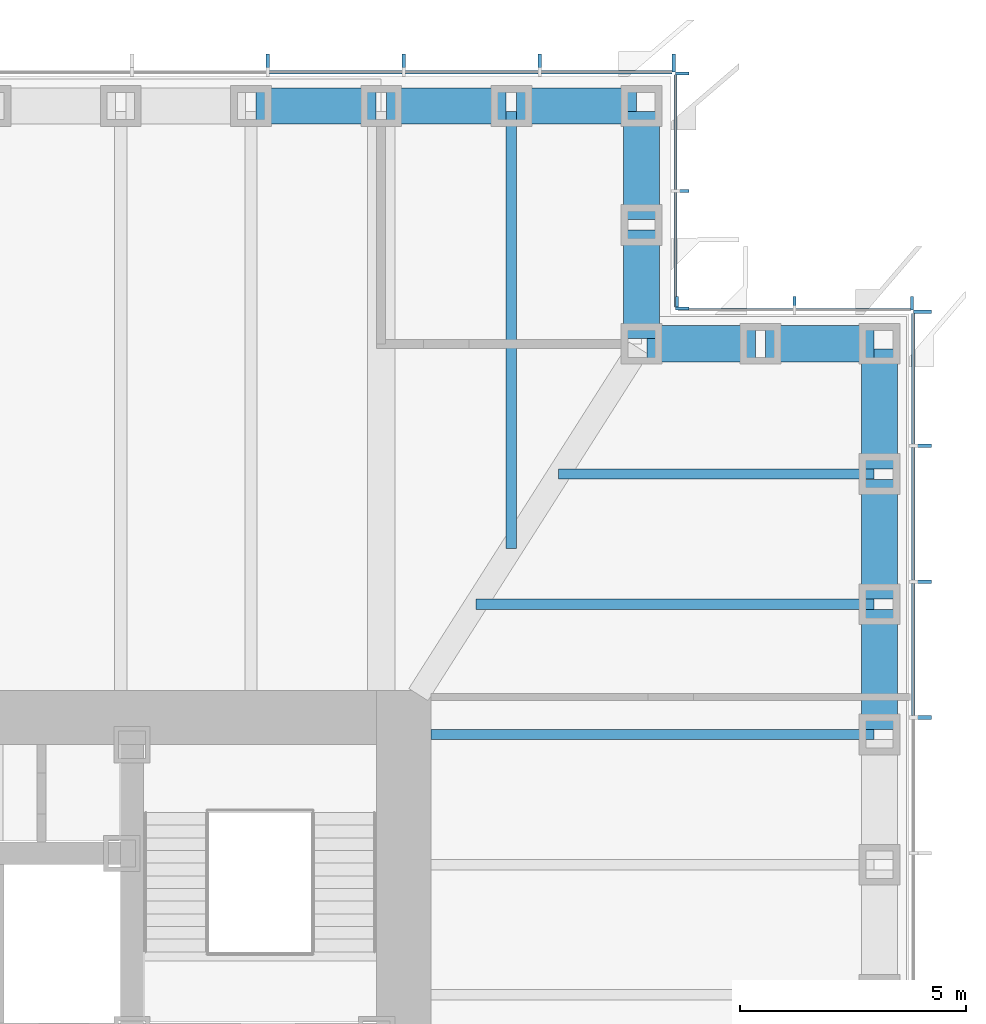
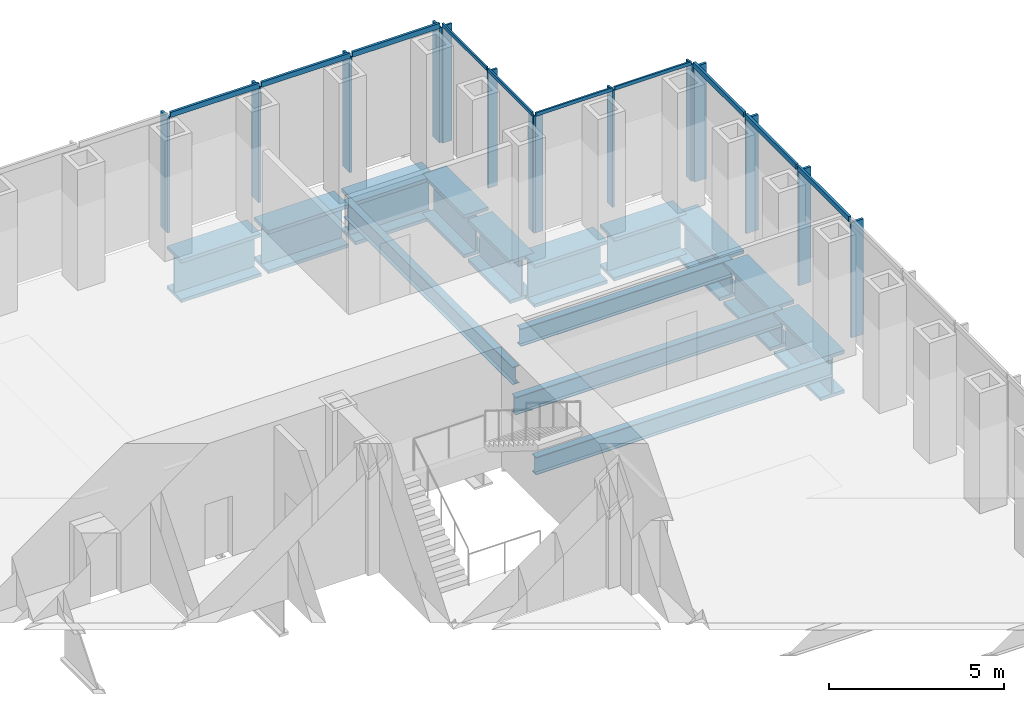
# One storey, part 6 of 17: 24 members, 14 beams, 4 elements without a shape of their own.
"""IFC4 building model written with IfcOpenShell, lengths in metres."""

from ifc_helpers import new_model, si_unit, direction, frame, origin, origin_2d, place, context, subcontext, project, spatial, rectangle, i_section, extrude, material, material_profile, profile_set, type_object, element, aggregate, save


model = new_model("IFC4")

# Units and contexts
model_context = context("Model", 3, precision=1e-05, world=origin(), true_north=direction((0.0, 1.0)))
body_context = subcontext(model_context, "Body", "Model", "MODEL_VIEW")
ifc_project = project(units=[si_unit("LENGTHUNIT", "METRE"), si_unit("AREAUNIT", "SQUARE_METRE"), si_unit("VOLUMEUNIT", "CUBIC_METRE"), si_unit("PLANEANGLEUNIT", "RADIAN"), si_unit("MASSUNIT", "GRAM", prefix="KILO")], contexts=[model_context])

# Site, building, storey
site_placement = place(None, origin())
site = spatial("IfcSite", under=ifc_project, at=site_placement, CompositionType="ELEMENT")
building_placement = place(site_placement, origin())
building = spatial("IfcBuilding", under=site, at=building_placement, Name="Daluyong Arena Tower", CompositionType="ELEMENT")
storey_placement = place(building_placement, frame((0.0, 0.0, 112.300048828125)))
storey = spatial("IfcBuildingStorey", under=building, at=storey_placement, Name="L24", CompositionType="ELEMENT", Elevation=112.300048828125)

# Curtain wall, members
ifc_material_1 = material(Name="Bronze anodised aluminium and glass", Category="aluminium")
curtain_wall_type_1 = type_object("IfcCurtainWallType", Name="Curtain wall CW2", PredefinedType="USERDEFINED", material=ifc_material_1)
curtain_wall_1_placement = place(storey_placement, origin())
curtain_wall_1 = element("IfcCurtainWall", 1, at=curtain_wall_1_placement, inside=storey, type_object=curtain_wall_type_1, Name="curtain wall L24 E", ObjectType="UNITISED CURTAIN WALL", PredefinedType="USERDEFINED")
ifc_material_2 = material(Name="Bronze anodised aluminium fin", Category="aluminium")
ifc_material_profile_1 = material_profile(ifc_material_2, rectangle(XDim=0.39990234375, YDim=0.080078125, at=origin_2d()))
ifc_profile_set_1 = profile_set([ifc_material_profile_1], Name="Bronze anodised aluminium fin")
member_type_1 = type_object("IfcMemberType", Name="CW2 bronze fin 400x80", PredefinedType="MULLION", material=ifc_profile_set_1)
member_1_placement = place(storey_placement, frame((79.449951171875, 89.0, 0.0), z_axis=(0.0, 0.0, 1.0), x_axis=(-1.0, 0.0, 0.0)))
member_1 = element("IfcMember", 2, at=member_1_placement, type_object=member_type_1, Name="curtain wall L24 E fin 10", PredefinedType="MULLION", context=body_context, shape_type="SweptSolid", body=[
    extrude(rectangle(XDim=0.39990234375, YDim=0.080078125, at=origin_2d()), origin(), (0.0, 0.0, 1.0), 4.02001953125),
])
member_2_placement = place(storey_placement, frame((79.449951171875, 92.0, 0.0), z_axis=(0.0, 0.0, 1.0), x_axis=(-1.0, 0.0, 0.0)))
member_2 = element("IfcMember", 3, at=member_2_placement, type_object=member_type_1, Name="curtain wall L24 E fin 11", PredefinedType="MULLION", context=body_context, shape_type="SweptSolid", body=[
    extrude(rectangle(XDim=0.39990234375, YDim=0.080078125, at=origin_2d()), origin(), (0.0, 0.0, 1.0), 4.02001953125),
])
member_3_placement = place(storey_placement, frame((79.449951171875, 95.0, 0.0), z_axis=(0.0, 0.0, 1.0), x_axis=(-1.0, 0.0, 0.0)))
member_3 = element("IfcMember", 4, at=member_3_placement, type_object=member_type_1, Name="curtain wall L24 E fin 12", PredefinedType="MULLION", context=body_context, shape_type="SweptSolid", body=[
    extrude(rectangle(XDim=0.39990234375, YDim=0.080078125, at=origin_2d()), origin(), (0.0, 0.0, 1.0), 4.02001953125),
])
member_4_placement = place(storey_placement, frame((79.449951171875, 97.9599609375, 0.0), z_axis=(0.0, 0.0, 1.0), x_axis=(-1.0, 0.0, 0.0)))
member_4 = element("IfcMember", 5, at=member_4_placement, type_object=member_type_1, Name="curtain wall L24 E fin 13", PredefinedType="MULLION", context=body_context, shape_type="SweptSolid", body=[
    extrude(rectangle(XDim=0.39990234375, YDim=0.080078125, at=origin_2d()), origin(), (0.0, 0.0, 1.0), 4.02001953125),
])

curtain_wall_2_placement = place(storey_placement, origin())
curtain_wall_2 = element("IfcCurtainWall", 6, at=curtain_wall_2_placement, inside=storey, type_object=curtain_wall_type_1, Name="curtain wall L24 N", ObjectType="UNITISED CURTAIN WALL", PredefinedType="USERDEFINED")
member_5_placement = place(storey_placement, frame((73.9599609375, 103.449951171875, 0.0), z_axis=(0.0, 0.0, 1.0), x_axis=(0.0, -1.0, 0.0)))
member_5 = element("IfcMember", 7, at=member_5_placement, type_object=member_type_1, Name="curtain wall L24 N fin 1", PredefinedType="MULLION", context=body_context, shape_type="SweptSolid", body=[
    extrude(rectangle(XDim=0.39990234375, YDim=0.080078125, at=origin_2d()), origin(), (0.0, 0.0, 1.0), 4.02001953125),
])
member_6_placement = place(storey_placement, frame((71.0, 103.449951171875, 0.0), z_axis=(0.0, 0.0, 1.0), x_axis=(0.0, -1.0, 0.0)))
member_6 = element("IfcMember", 8, at=member_6_placement, type_object=member_type_1, Name="curtain wall L24 N fin 2", PredefinedType="MULLION", context=body_context, shape_type="SweptSolid", body=[
    extrude(rectangle(XDim=0.39990234375, YDim=0.080078125, at=origin_2d()), origin(), (0.0, 0.0, 1.0), 4.02001953125),
])
member_7_placement = place(storey_placement, frame((68.0, 103.449951171875, 0.0), z_axis=(0.0, 0.0, 1.0), x_axis=(0.0, -1.0, 0.0)))
member_7 = element("IfcMember", 9, at=member_7_placement, type_object=member_type_1, Name="curtain wall L24 N fin 3", PredefinedType="MULLION", context=body_context, shape_type="SweptSolid", body=[
    extrude(rectangle(XDim=0.39990234375, YDim=0.080078125, at=origin_2d()), origin(), (0.0, 0.0, 1.0), 4.02001953125),
])
member_8_placement = place(storey_placement, frame((65.0, 103.449951171875, 0.0), z_axis=(0.0, 0.0, 1.0), x_axis=(0.0, -1.0, 0.0)))
member_8 = element("IfcMember", 10, at=member_8_placement, type_object=member_type_1, Name="curtain wall L24 N fin 4", PredefinedType="MULLION", context=body_context, shape_type="SweptSolid", body=[
    extrude(rectangle(XDim=0.39990234375, YDim=0.080078125, at=origin_2d()), origin(), (0.0, 0.0, 1.0), 4.02001953125),
])

# Member
ifc_material_3 = material(Name="Bronze anodised aluminium", Category="aluminium")
ifc_material_profile_2 = material_profile(ifc_material_3, rectangle(XDim=0.080078125, YDim=0.179931640625, at=origin_2d()))
ifc_profile_set_2 = profile_set([ifc_material_profile_2], Name="Bronze anodised aluminium")
member_type_2 = type_object("IfcMemberType", Name="CW2 stack transom 180x80", PredefinedType="USERDEFINED", material=ifc_profile_set_2)
member_9_placement = place(storey_placement, frame((79.25, 89.0400390625, 4.10986328125), z_axis=(0.0, 1.0, 0.0), x_axis=(-1.0, 0.0, 0.0)))
member_9 = element("IfcMember", 11, at=member_9_placement, type_object=member_type_2, Name="curtain wall L24 E transom 10", ObjectType="TRANSOM", PredefinedType="USERDEFINED", context=body_context, shape_type="SweptSolid", body=[
    extrude(rectangle(XDim=0.080078125, YDim=0.179931640625, at=origin_2d()), origin(), (0.0, 0.0, 1.0), 2.919921875),
])

member_10_placement = place(storey_placement, frame((79.25, 92.0400390625, 4.10986328125), z_axis=(0.0, 1.0, 0.0), x_axis=(-1.0, 0.0, 0.0)))
member_10 = element("IfcMember", 12, at=member_10_placement, type_object=member_type_2, Name="curtain wall L24 E transom 11", ObjectType="TRANSOM", PredefinedType="USERDEFINED", context=body_context, shape_type="SweptSolid", body=[
    extrude(rectangle(XDim=0.080078125, YDim=0.179931640625, at=origin_2d()), origin(), (0.0, 0.0, 1.0), 2.919921875),
])

member_11_placement = place(storey_placement, frame((79.25, 95.0400390625, 4.10986328125), z_axis=(0.0, 1.0, 0.0), x_axis=(-1.0, 0.0, 0.0)))
member_11 = element("IfcMember", 13, at=member_11_placement, type_object=member_type_2, Name="curtain wall L24 E transom 12", ObjectType="TRANSOM", PredefinedType="USERDEFINED", context=body_context, shape_type="SweptSolid", body=[
    extrude(rectangle(XDim=0.080078125, YDim=0.179931640625, at=origin_2d()), origin(), (0.0, 0.0, 1.0), 2.8798828125),
])

aggregate(curtain_wall_1, [member_1, member_2, member_3, member_4, member_9, member_10, member_11])

member_12_placement = place(storey_placement, frame((73.919921875, 103.25, 4.10986328125), z_axis=(-1.0, 0.0, 0.0), x_axis=(0.0, -1.0, 0.0)))
member_12 = element("IfcMember", 14, at=member_12_placement, type_object=member_type_2, Name="curtain wall L24 N transom 1", ObjectType="TRANSOM", PredefinedType="USERDEFINED", context=body_context, shape_type="SweptSolid", body=[
    extrude(rectangle(XDim=0.080078125, YDim=0.179931640625, at=origin_2d()), origin(), (0.0, 0.0, 1.0), 2.8798828125),
])

member_13_placement = place(storey_placement, frame((70.9599609375, 103.25, 4.10986328125), z_axis=(-1.0, 0.0, 0.0), x_axis=(0.0, -1.0, 0.0)))
member_13 = element("IfcMember", 15, at=member_13_placement, type_object=member_type_2, Name="curtain wall L24 N transom 2", ObjectType="TRANSOM", PredefinedType="USERDEFINED", context=body_context, shape_type="SweptSolid", body=[
    extrude(rectangle(XDim=0.080078125, YDim=0.179931640625, at=origin_2d()), origin(), (0.0, 0.0, 1.0), 2.919921875),
])

member_14_placement = place(storey_placement, frame((67.9599609375, 103.25, 4.10986328125), z_axis=(-1.0, 0.0, 0.0), x_axis=(0.0, -1.0, 0.0)))
member_14 = element("IfcMember", 16, at=member_14_placement, type_object=member_type_2, Name="curtain wall L24 N transom 3", ObjectType="TRANSOM", PredefinedType="USERDEFINED", context=body_context, shape_type="SweptSolid", body=[
    extrude(rectangle(XDim=0.080078125, YDim=0.179931640625, at=origin_2d()), origin(), (0.0, 0.0, 1.0), 2.919921875),
])

aggregate(curtain_wall_2, [member_5, member_6, member_7, member_8, member_12, member_13, member_14])

# Curtain wall, members
ifc_material_4 = material(Name="Bronze anodised aluminium and glass", Category="aluminium")
curtain_wall_type_2 = type_object("IfcCurtainWallType", Name="Curtain wall CW7", PredefinedType="USERDEFINED", material=ifc_material_4)
curtain_wall_3_placement = place(storey_placement, origin())
curtain_wall_3 = element("IfcCurtainWall", 17, at=curtain_wall_3_placement, inside=storey, type_object=curtain_wall_type_2, Name="curtain wall L24 NE-N", ObjectType="UNITISED CURTAIN WALL", PredefinedType="USERDEFINED")
ifc_material_5 = material(Name="Bronze anodised aluminium fin", Category="aluminium")
ifc_material_profile_3 = material_profile(ifc_material_5, rectangle(XDim=0.300048828125, YDim=0.06005859375, at=origin_2d()))
ifc_profile_set_3 = profile_set([ifc_material_profile_3], Name="Bronze anodised aluminium fin")
member_type_3 = type_object("IfcMemberType", Name="CW7 bronze fin 300x60", PredefinedType="MULLION", material=ifc_profile_set_3)
member_15_placement = place(storey_placement, frame((79.219970703125, 98.14990234375, 0.0), z_axis=(0.0, 0.0, 1.0), x_axis=(0.0, -1.0, 0.0)))
member_15 = element("IfcMember", 18, at=member_15_placement, type_object=member_type_3, Name="curtain wall L24 NE-N fin 1", PredefinedType="MULLION", context=body_context, shape_type="SweptSolid", body=[
    extrude(rectangle(XDim=0.300048828125, YDim=0.06005859375, at=origin_2d()), origin(), (0.0, 0.0, 1.0), 4.079833984375),
])
member_16_placement = place(storey_placement, frame((76.625, 98.14990234375, 0.0), z_axis=(0.0, 0.0, 1.0), x_axis=(0.0, -1.0, 0.0)))
member_16 = element("IfcMember", 19, at=member_16_placement, type_object=member_type_3, Name="curtain wall L24 NE-N fin 2", PredefinedType="MULLION", context=body_context, shape_type="SweptSolid", body=[
    extrude(rectangle(XDim=0.300048828125, YDim=0.06005859375, at=origin_2d()), origin(), (0.0, 0.0, 1.0), 4.079833984375),
])
member_17_placement = place(storey_placement, frame((74.030029296875, 98.14990234375, 0.0), z_axis=(0.0, 0.0, 1.0), x_axis=(0.0, -1.0, 0.0)))
member_17 = element("IfcMember", 20, at=member_17_placement, type_object=member_type_3, Name="curtain wall L24 NE-N fin 3", PredefinedType="MULLION", context=body_context, shape_type="SweptSolid", body=[
    extrude(rectangle(XDim=0.300048828125, YDim=0.06005859375, at=origin_2d()), origin(), (0.0, 0.0, 1.0), 4.079833984375),
])

curtain_wall_4_placement = place(storey_placement, origin())
curtain_wall_4 = element("IfcCurtainWall", 21, at=curtain_wall_4_placement, inside=storey, type_object=curtain_wall_type_2, Name="curtain wall L24 NE-E", ObjectType="UNITISED CURTAIN WALL", PredefinedType="USERDEFINED")
member_18_placement = place(storey_placement, frame((74.14990234375, 98.030029296875, 0.0), z_axis=(0.0, 0.0, 1.0), x_axis=(-1.0, 0.0, 0.0)))
member_18 = element("IfcMember", 22, at=member_18_placement, type_object=member_type_3, Name="curtain wall L24 NE-E fin 1", PredefinedType="MULLION", context=body_context, shape_type="SweptSolid", body=[
    extrude(rectangle(XDim=0.300048828125, YDim=0.06005859375, at=origin_2d()), origin(), (0.0, 0.0, 1.0), 4.079833984375),
])
member_19_placement = place(storey_placement, frame((74.14990234375, 100.625, 0.0), z_axis=(0.0, 0.0, 1.0), x_axis=(-1.0, 0.0, 0.0)))
member_19 = element("IfcMember", 23, at=member_19_placement, type_object=member_type_3, Name="curtain wall L24 NE-E fin 2", PredefinedType="MULLION", context=body_context, shape_type="SweptSolid", body=[
    extrude(rectangle(XDim=0.300048828125, YDim=0.06005859375, at=origin_2d()), origin(), (0.0, 0.0, 1.0), 4.079833984375),
])
member_20_placement = place(storey_placement, frame((74.14990234375, 103.219970703125, 0.0), z_axis=(0.0, 0.0, 1.0), x_axis=(-1.0, 0.0, 0.0)))
member_20 = element("IfcMember", 24, at=member_20_placement, type_object=member_type_3, Name="curtain wall L24 NE-E fin 3", PredefinedType="MULLION", context=body_context, shape_type="SweptSolid", body=[
    extrude(rectangle(XDim=0.300048828125, YDim=0.06005859375, at=origin_2d()), origin(), (0.0, 0.0, 1.0), 4.079833984375),
])

# Member
ifc_material_6 = material(Name="Bronze anodised aluminium", Category="aluminium")
ifc_material_profile_4 = material_profile(ifc_material_6, rectangle(XDim=0.06005859375, YDim=0.1201171875, at=origin_2d()))
ifc_profile_set_4 = profile_set([ifc_material_profile_4], Name="Bronze anodised aluminium")
member_type_4 = type_object("IfcMemberType", Name="CW7 stack transom 120x60", PredefinedType="USERDEFINED", material=ifc_profile_set_4)
member_21_placement = place(storey_placement, frame((79.18994140625, 98.0, 4.139892578125), z_axis=(-1.0, 0.0, 0.0), x_axis=(0.0, -1.0, 0.0)))
member_21 = element("IfcMember", 25, at=member_21_placement, type_object=member_type_4, Name="curtain wall L24 NE-N transom 1", ObjectType="TRANSOM", PredefinedType="USERDEFINED", context=body_context, shape_type="SweptSolid", body=[
    extrude(rectangle(XDim=0.06005859375, YDim=0.1201171875, at=origin_2d()), origin(), (0.0, 0.0, 1.0), 2.534912109375),
])

member_22_placement = place(storey_placement, frame((76.594970703125, 98.0, 4.139892578125), z_axis=(-1.0, 0.0, 0.0), x_axis=(0.0, -1.0, 0.0)))
member_22 = element("IfcMember", 26, at=member_22_placement, type_object=member_type_4, Name="curtain wall L24 NE-N transom 2", ObjectType="TRANSOM", PredefinedType="USERDEFINED", context=body_context, shape_type="SweptSolid", body=[
    extrude(rectangle(XDim=0.06005859375, YDim=0.1201171875, at=origin_2d()), origin(), (0.0, 0.0, 1.0), 2.534912109375),
])

aggregate(curtain_wall_3, [member_15, member_16, member_17, member_21, member_22])

member_23_placement = place(storey_placement, frame((74.0, 98.06005859375, 4.139892578125), z_axis=(0.0, 1.0, 0.0), x_axis=(-1.0, 0.0, 0.0)))
member_23 = element("IfcMember", 27, at=member_23_placement, type_object=member_type_4, Name="curtain wall L24 NE-E transom 1", ObjectType="TRANSOM", PredefinedType="USERDEFINED", context=body_context, shape_type="SweptSolid", body=[
    extrude(rectangle(XDim=0.06005859375, YDim=0.1201171875, at=origin_2d()), origin(), (0.0, 0.0, 1.0), 2.534912109375),
])

member_24_placement = place(storey_placement, frame((74.0, 100.655029296875, 4.139892578125), z_axis=(0.0, 1.0, 0.0), x_axis=(-1.0, 0.0, 0.0)))
member_24 = element("IfcMember", 28, at=member_24_placement, type_object=member_type_4, Name="curtain wall L24 NE-E transom 2", ObjectType="TRANSOM", PredefinedType="USERDEFINED", context=body_context, shape_type="SweptSolid", body=[
    extrude(rectangle(XDim=0.06005859375, YDim=0.1201171875, at=origin_2d()), origin(), (0.0, 0.0, 1.0), 2.534912109375),
])

aggregate(curtain_wall_4, [member_18, member_19, member_20, member_23, member_24])

# Beams
ifc_material_7 = material(Name="Steel ASTM A992 Grade 50", Category="steel")
ifc_material_profile_5 = material_profile(ifc_material_7, i_section(OverallWidth=0.22900390625, OverallDepth=0.612060546875, WebThickness=0.011962890625, FlangeThickness=0.01953125, at=origin_2d()))
ifc_profile_set_5 = profile_set([ifc_material_profile_5], Name="Steel ASTM A992 Grade 50")
beam_type_1 = type_object("IfcBeamType", Name="Floor beam W24X84", PredefinedType="BEAM", material=ifc_profile_set_5)
beam_1_placement = place(storey_placement, frame((78.385009765625, 88.625, -0.466064453125), z_axis=(-1.0, 0.0, 0.0), x_axis=(0.0, -1.0, 0.0)))
element("IfcBeam", 29, at=beam_1_placement, inside=storey, type_object=beam_type_1, Name="floor beam FB3", PredefinedType="BEAM", context=body_context, shape_type="SweptSolid", body=[
    extrude(i_section(OverallWidth=0.22900390625, OverallDepth=0.612060546875, WebThickness=0.011962890625, FlangeThickness=0.01953125, at=origin_2d()), origin(), (0.0, 0.0, 1.0), 9.784912109375),
])
beam_2_placement = place(storey_placement, frame((78.385009765625, 91.5, -0.466064453125), z_axis=(-1.0, 0.0, 0.0), x_axis=(0.0, -1.0, 0.0)))
element("IfcBeam", 30, at=beam_2_placement, inside=storey, type_object=beam_type_1, Name="floor beam FB3", PredefinedType="BEAM", context=body_context, shape_type="SweptSolid", body=[
    extrude(i_section(OverallWidth=0.22900390625, OverallDepth=0.612060546875, WebThickness=0.011962890625, FlangeThickness=0.01953125, at=origin_2d()), origin(), (0.0, 0.0, 1.0), 8.794189453125),
])
beam_3_placement = place(storey_placement, frame((78.385009765625, 94.375, -0.466064453125), z_axis=(-1.0, 0.0, 0.0), x_axis=(0.0, -1.0, 0.0)))
element("IfcBeam", 31, at=beam_3_placement, inside=storey, type_object=beam_type_1, Name="floor beam FB3", PredefinedType="BEAM", context=body_context, shape_type="SweptSolid", body=[
    extrude(i_section(OverallWidth=0.22900390625, OverallDepth=0.612060546875, WebThickness=0.011962890625, FlangeThickness=0.01953125, at=origin_2d()), origin(), (0.0, 0.0, 1.0), 6.964599609375),
])
beam_4_placement = place(storey_placement, frame((70.375, 102.385009765625, -0.466064453125), z_axis=(0.0, -1.0, 0.0), x_axis=(1.0, 0.0, 0.0)))
element("IfcBeam", 32, at=beam_4_placement, inside=storey, type_object=beam_type_1, Name="floor beam FB3", PredefinedType="BEAM", context=body_context, shape_type="SweptSolid", body=[
    extrude(i_section(OverallWidth=0.22900390625, OverallDepth=0.612060546875, WebThickness=0.011962890625, FlangeThickness=0.01953125, at=origin_2d()), origin(), (0.0, 0.0, 1.0), 9.65283203125),
])
ifc_material_8 = material(Name="Steel ASTM A588 Grade 50", Category="steel")
ifc_material_profile_6 = material_profile(ifc_material_8, i_section(OverallWidth=0.800048828125, OverallDepth=1.5, WebThickness=0.05, FlangeThickness=0.12, at=origin_2d()))
ifc_profile_set_6 = profile_set([ifc_material_profile_6], Name="Steel ASTM A588 Grade 50")
beam_type_2 = type_object("IfcBeamType", Name="Spandrel Z2 PG1500X800", PredefinedType="SPANDREL", material=ifc_profile_set_6)
for number, where, z_axis, x_axis, name in (
    (33, (78.5, 88.739990234375, -0.91015625), (0.0, 1.0, 0.0), (-1.0, 0.0, 0.0), "spandrel z2 SB5"),
    (34, (78.5, 91.614990234375, -0.91015625), (0.0, 1.0, 0.0), (-1.0, 0.0, 0.0), "spandrel z2 SB5"),
    (35, (78.5, 94.489990234375, -0.91015625), (0.0, 1.0, 0.0), (-1.0, 0.0, 0.0), "spandrel z2 SB5"),
):
    element("IfcBeam", number, at=place(storey_placement, frame(where, z_axis=z_axis, x_axis=x_axis)), inside=storey, type_object=beam_type_2, Name=name, PredefinedType="SPANDREL", context=body_context, shape_type="SweptSolid", body=[
        extrude(i_section(OverallWidth=0.800048828125, OverallDepth=1.5, WebThickness=0.05, FlangeThickness=0.12, at=origin_2d()), origin(), (0.0, 0.0, 1.0), 2.64501953125),
    ])
for number, where, z_axis, x_axis, name in (
    (36, (78.385009765625, 97.25, -0.91015625), (-1.0, 0.0, 0.0), (0.0, -1.0, 0.0), "spandrel z2 SB5"),
    (37, (75.760009765625, 97.25, -0.91015625), (-1.0, 0.0, 0.0), (0.0, -1.0, 0.0), "spandrel z2 SB5"),
    (38, (73.25, 97.364990234375, -0.91015625), (0.0, 1.0, 0.0), (-1.0, 0.0, 0.0), "spandrel z2 SB5"),
    (39, (73.25, 99.989990234375, -0.91015625), (0.0, 1.0, 0.0), (-1.0, 0.0, 0.0), "spandrel z2 SB5"),
):
    element("IfcBeam", number, at=place(storey_placement, frame(where, z_axis=z_axis, x_axis=x_axis)), inside=storey, type_object=beam_type_2, Name=name, PredefinedType="SPANDREL", context=body_context, shape_type="SweptSolid", body=[
        extrude(i_section(OverallWidth=0.800048828125, OverallDepth=1.5, WebThickness=0.05, FlangeThickness=0.12, at=origin_2d()), origin(), (0.0, 0.0, 1.0), 2.39501953125),
    ])
for number, where, z_axis, x_axis, name in (
    (40, (73.135009765625, 102.5, -0.91015625), (-1.0, 0.0, 0.0), (0.0, -1.0, 0.0), "spandrel z2 SB5"),
    (41, (70.260009765625, 102.5, -0.91015625), (-1.0, 0.0, 0.0), (0.0, -1.0, 0.0), "spandrel z2 SB5"),
    (42, (67.385009765625, 102.5, -0.91015625), (-1.0, 0.0, 0.0), (0.0, -1.0, 0.0), "spandrel z2 SB5"),
):
    element("IfcBeam", number, at=place(storey_placement, frame(where, z_axis=z_axis, x_axis=x_axis)), inside=storey, type_object=beam_type_2, Name=name, PredefinedType="SPANDREL", context=body_context, shape_type="SweptSolid", body=[
        extrude(i_section(OverallWidth=0.800048828125, OverallDepth=1.5, WebThickness=0.05, FlangeThickness=0.12, at=origin_2d()), origin(), (0.0, 0.0, 1.0), 2.64501953125),
    ])

save(model, "model.ifc")
